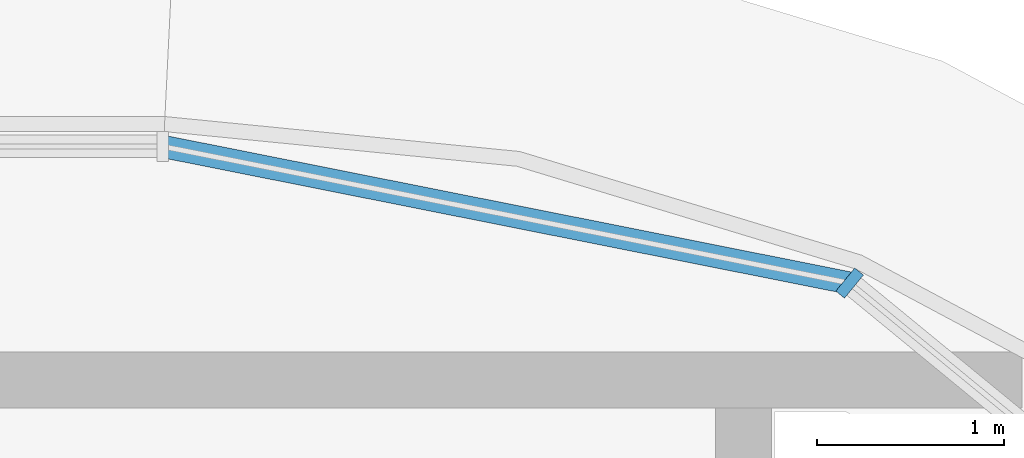
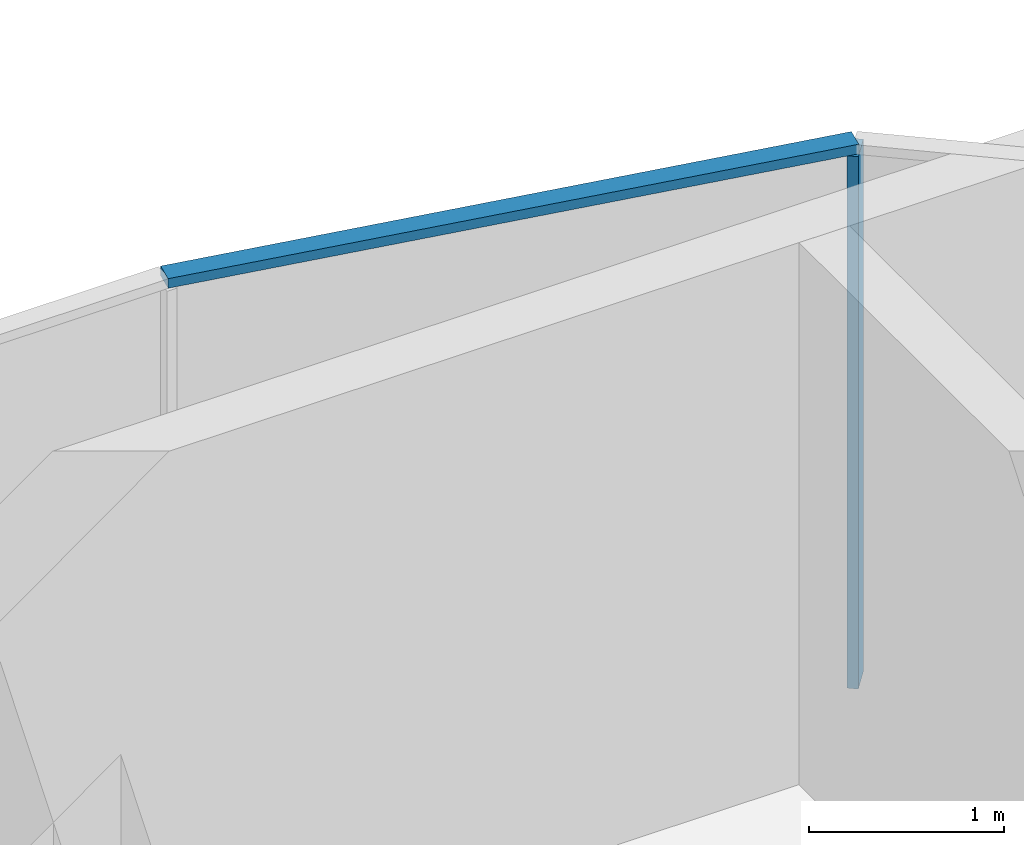
# One storey, part 5 of 23: 2 members, 1 element without a shape of its own.
"""IFC4 building model written with IfcOpenShell, lengths in metres."""

from ifc_helpers import new_model, si_unit, direction, frame, origin, origin_2d, place, context, subcontext, project, spatial, rectangle, extrude, material, material_profile, profile_set, type_object, element, aggregate, save


model = new_model("IFC4")

# Units and contexts
model_context = context("Model", 3, precision=1e-05, world=origin(), true_north=direction((0.0, 1.0)))
body_context = subcontext(model_context, "Body", "Model", "MODEL_VIEW")
ifc_project = project(units=[si_unit("LENGTHUNIT", "METRE"), si_unit("AREAUNIT", "SQUARE_METRE"), si_unit("VOLUMEUNIT", "CUBIC_METRE"), si_unit("PLANEANGLEUNIT", "RADIAN"), si_unit("MASSUNIT", "GRAM", prefix="KILO")], contexts=[model_context])

# Site, building, storey
site_placement = place(None, origin())
site = spatial("IfcSite", under=ifc_project, at=site_placement, CompositionType="ELEMENT")
building_placement = place(site_placement, origin())
building = spatial("IfcBuilding", under=site, at=building_placement, Name="Ogive Portal Towers", CompositionType="ELEMENT")
storey_placement = place(building_placement, frame((0.0, 0.0, 179.199951171875)))
storey = spatial("IfcBuildingStorey", under=building, at=storey_placement, Name="L44", CompositionType="ELEMENT", Elevation=179.199951171875)

# Curtain wall, members
ifc_material_1 = material(Name="Glass, clear low-iron insulated glazing", Category="glass")
curtain_wall_type = type_object("IfcCurtainWallType", Name="CW FRONT RIBBON 4500", PredefinedType="NOTDEFINED", material=ifc_material_1)
curtain_wall_placement = place(storey_placement, origin())
curtain_wall = element("IfcCurtainWall", 1, at=curtain_wall_placement, inside=storey, type_object=curtain_wall_type, Name="A:L44:f30:cwa", PredefinedType="NOTDEFINED")
ifc_material_2 = material(Name="Aluminium 6063 anodised", Category="aluminium")
ifc_material_profile_1 = material_profile(ifc_material_2, rectangle(XDim=0.159912109375, YDim=0.06005859375, at=origin_2d()), Name="AL 60x160")
ifc_profile_set_1 = profile_set([ifc_material_profile_1], Name="Aluminium 6063 anodised")
member_type_1 = type_object("IfcMemberType", Name="CW MULLION 60x160", PredefinedType="MULLION", material=ifc_profile_set_1)
member_1_placement = place(storey_placement, frame((91.169189453125, 41.36865234375, 0.0), z_axis=(0.0, 0.0, 1.0), x_axis=(-0.634393284164, -0.773010453363, 0.0)))
member_1 = element("IfcMember", 2, at=member_1_placement, type_object=member_type_1, Name="mullion", PredefinedType="MULLION", context=body_context, shape_type="SweptSolid", body=[
    extrude(rectangle(XDim=0.159912109375, YDim=0.06005859375, at=origin_2d()), origin(), (0.0, 0.0, 1.0), 3.340087890625),
])
ifc_material_profile_2 = material_profile(ifc_material_2, rectangle(XDim=0.1201171875, YDim=0.06005859375, at=origin_2d()), Name="AL 120x60")
ifc_profile_set_2 = profile_set([ifc_material_profile_2], Name="Aluminium 6063 anodised")
member_type_2 = type_object("IfcMemberType", Name="CW TRANSOM 60x120", PredefinedType="USERDEFINED", material=ifc_profile_set_2)
member_2_placement = place(storey_placement, frame((91.169189453125, 41.36865234375, 3.3701171875), z_axis=(-0.980783027079, 0.195101649899, 0.0), x_axis=(-0.195101649899, -0.980783027079, 0.0)))
member_2 = element("IfcMember", 3, at=member_2_placement, type_object=member_type_2, Name="transom", ObjectType="TRANSOM", PredefinedType="USERDEFINED", context=body_context, shape_type="SweptSolid", body=[
    extrude(rectangle(XDim=0.1201171875, YDim=0.06005859375, at=origin_2d()), origin(), (0.0, 0.0, 1.0), 3.7490234375),
])
aggregate(curtain_wall, [member_2, member_1])

save(model, "model.ifc")
